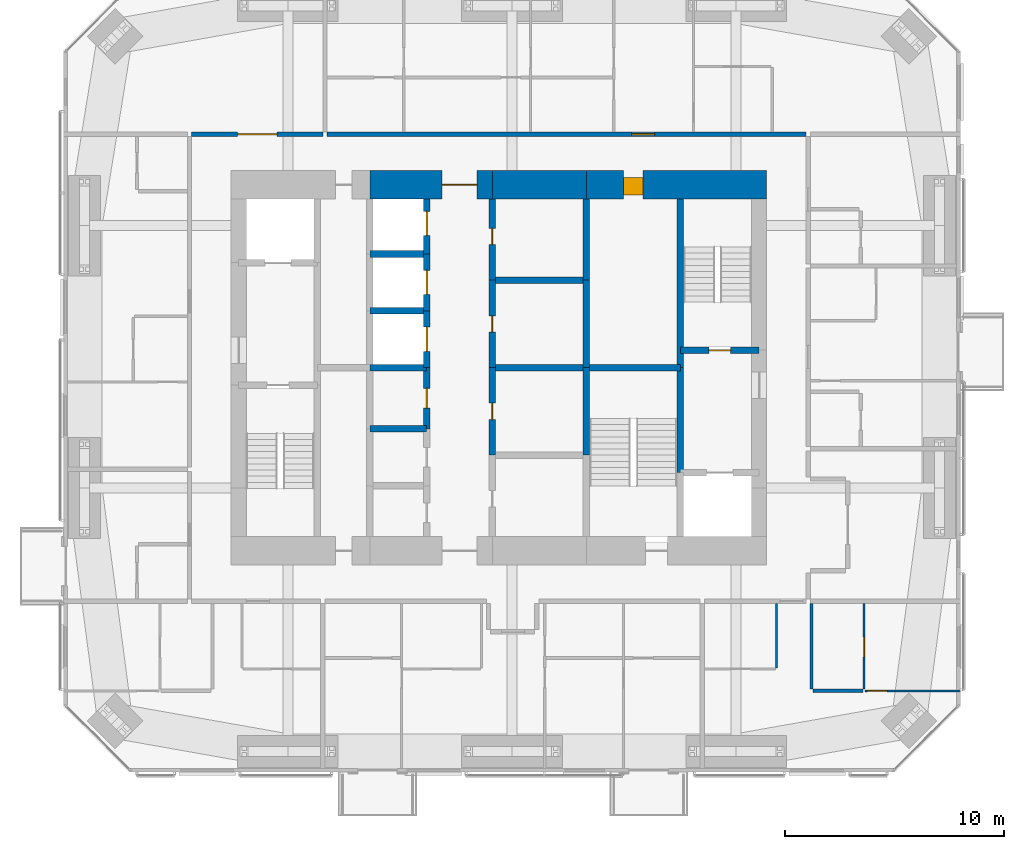
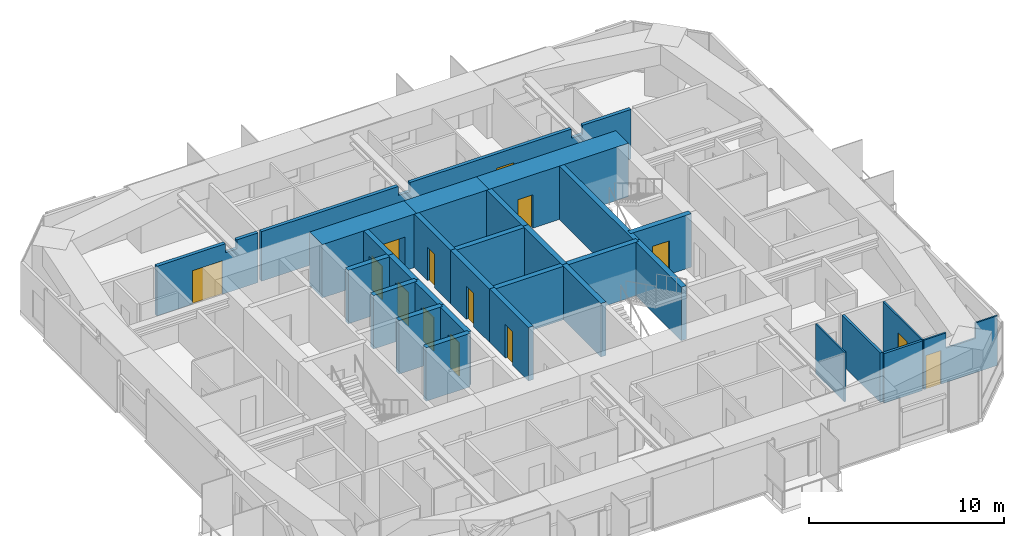
# One storey, part 18 of 22: 30 walls, 14 doors, 14 openings.
"""IFC4 building model written with IfcOpenShell, lengths in metres."""

from ifc_helpers import new_model, si_unit, direction, frame, frame_2d, origin, place, context, subcontext, project, spatial, polyline, rectangle, outline, extrude, material, layer, layer_set, constituent, constituent_set, type_object, element, fill, save


model = new_model("IFC4")

# Units and contexts
model_context = context("Model", 3, precision=1e-05, world=origin(), true_north=direction((0.0, 1.0)))
body_context = subcontext(model_context, "Body", "Model", "MODEL_VIEW")
ifc_project = project(units=[si_unit("LENGTHUNIT", "METRE"), si_unit("AREAUNIT", "SQUARE_METRE"), si_unit("VOLUMEUNIT", "CUBIC_METRE"), si_unit("PLANEANGLEUNIT", "RADIAN"), si_unit("MASSUNIT", "GRAM", prefix="KILO")], contexts=[model_context])

# Site, building, storey
site_placement = place(None, origin())
site = spatial("IfcSite", under=ifc_project, at=site_placement, CompositionType="ELEMENT")
building_placement = place(site_placement, origin())
building = spatial("IfcBuilding", under=site, at=building_placement, Name="Jalousie Tower", CompositionType="ELEMENT")
storey_placement = place(building_placement, frame((0.0, 0.0, 174.449951171875)))
storey = spatial("IfcBuildingStorey", under=building, at=storey_placement, Name="L47", CompositionType="ELEMENT", Elevation=174.449951171875)

# Walls
ifc_material_1 = material(Name="Concrete block ASTM C90", Category="concrete")
ifc_constituent_1 = constituent(ifc_material_1, Name="Body")
ifc_material_2 = material(Name="Render")
ifc_constituent_2 = constituent(ifc_material_2, Name="Finish")
ifc_constituent_set_1 = constituent_set(constituents=[ifc_constituent_1, ifc_constituent_2])
wall_type_1 = type_object("IfcWallType", Name="BATHROOM WALL 150", PredefinedType="PLUMBINGWALL", material=ifc_constituent_set_1)
wall_1_placement = place(storey_placement, frame((46.27490234375, 3.72119140625, 0.0), z_axis=(0.0, 0.0, 1.0), x_axis=(1.0, 0.0, 0.0)))
element("IfcWall", 1, at=wall_1_placement, inside=storey, type_object=wall_type_1, Name="Bathroom Wall 150 L47", PredefinedType="PLUMBINGWALL", context=body_context, shape_type="SweptSolid", body=[
    extrude(rectangle(XDim=2.275146484375, YDim=0.14990234375, at=frame_2d((1.1376953125, 0.0))), origin(), (0.0, 0.0, 1.0), 3.110107421875),
])
wall_2_placement = place(storey_placement, frame((46.199951171875, 3.79638671875, 0.0), z_axis=(0.0, 0.0, 1.0), x_axis=(0.0, 1.0, 0.0)))
element("IfcWall", 2, at=wall_2_placement, inside=storey, type_object=wall_type_1, Name="Bathroom Wall 150 L47", PredefinedType="PLUMBINGWALL", context=body_context, shape_type="SweptSolid", body=[
    extrude(rectangle(XDim=3.9287109375, YDim=0.14990234375, at=frame_2d((1.96435546875, 0.0))), origin(), (0.0, 0.0, 1.0), 3.110107421875),
])

# Wall, opening, door
ifc_material_3 = material(Name="Concrete f'c 120 MPa", Category="concrete")
ifc_layer_1 = layer(ifc_material_3, 1.300048828125)
ifc_layer_set_1 = layer_set([ifc_layer_1], Name="Concrete f'c 120 MPa")
wall_type_2 = type_object("IfcWallType", Name="CORE WALL 1300", PredefinedType="SHEAR", material=ifc_layer_set_1)
wall_3_placement = place(storey_placement, frame((44.14990234375, 26.875, 0.0), z_axis=(0.0, 0.0, 1.0), x_axis=(-1.0, 0.0, 0.0)))
wall_3 = element("IfcWall", 3, at=wall_3_placement, inside=storey, type_object=wall_type_2, Name="Core wall NA L47", PredefinedType="SHEAR", context=body_context, shape_type="SweptSolid", body=[
    extrude(rectangle(XDim=8.25, YDim=1.300048828125, at=frame_2d((4.125, 0.0))), origin(), (0.0, 0.0, 1.0), 3.35009765625),
])
opening_1_placement = place(wall_3_placement, frame((5.64990234375, 0.0, 0.0)))
opening_1 = element("IfcOpeningElement", 4, at=opening_1_placement, cuts=wall_3, Name="Opening D18", PredefinedType="OPENING", context=body_context, shape_type="SweptSolid", body=[
    extrude(rectangle(XDim=0.89990234375, YDim=2.10009765625, at=frame_2d((0.449951171875, 1.050048828125))), frame((0.0, 0.659912109375, 0.0), z_axis=(0.0, -1.0, 0.0), x_axis=(1.0, 0.0, 0.0)), (0.0, 0.0, 1.0), 1.320068359375),
])
ifc_material_4 = material(Name="Steel fire door", Category="steel")
door_type_1 = type_object("IfcDoorType", Name="CLEANER'S STORE DOOR 900", OperationType="SINGLE_SWING_LEFT", PredefinedType="DOOR", material=ifc_material_4)
door_1_placement = place(opening_1_placement, origin())
door_1 = element("IfcDoor", 5, at=door_1_placement, inside=storey, type_object=door_type_1, Name="Cleaner's store door", OperationType="SINGLE_SWING_RIGHT", OverallHeight=2.10009765625, OverallWidth=0.89990234375, PredefinedType="DOOR", context=body_context, shape_type="SweptSolid", body=[
    extrude(rectangle(XDim=0.89990234375, YDim=2.10009765625, at=frame_2d((0.449951171875, 1.050048828125))), frame((0.0, 0.47021484375, 0.0), z_axis=(0.0, -1.0, 0.0), x_axis=(1.0, 0.0, 0.0)), (0.0, 0.0, 1.0), 0.800048828125),
])
fill(opening_1, door_1)

# Wall
wall_4_placement = place(storey_placement, frame((35.89990234375, 26.875, 0.0), z_axis=(0.0, 0.0, 1.0), x_axis=(-1.0, 0.0, 0.0)))
element("IfcWall", 6, at=wall_4_placement, inside=storey, type_object=wall_type_2, Name="Core wall NB L47", PredefinedType="SHEAR", context=body_context, shape_type="SweptSolid", body=[
    extrude(rectangle(XDim=4.2998046875, YDim=1.300048828125, at=frame_2d((2.14990234375, 0.0))), origin(), (0.0, 0.0, 1.0), 3.35009765625),
])

# Wall, opening, door
wall_5_placement = place(storey_placement, frame((31.60009765625, 26.875, 0.0), z_axis=(0.0, 0.0, 1.0), x_axis=(-1.0, 0.0, 0.0)))
wall_5 = element("IfcWall", 7, at=wall_5_placement, inside=storey, type_object=wall_type_2, Name="Core wall NC L47", PredefinedType="SHEAR", context=body_context, shape_type="SweptSolid", body=[
    extrude(rectangle(XDim=5.60009765625, YDim=1.300048828125, at=frame_2d((2.800048828125, 0.0))), origin(), (0.0, 0.0, 1.0), 3.35009765625),
])
opening_2_placement = place(wall_5_placement, frame((0.699951171875, 0.0, 0.0)))
opening_2 = element("IfcOpeningElement", 8, at=opening_2_placement, cuts=wall_5, Name="Opening D15", PredefinedType="OPENING", context=body_context, shape_type="SweptSolid", body=[
    extrude(rectangle(XDim=1.60009765625, YDim=2.10009765625, at=frame_2d((0.800048828125, 1.050048828125))), frame((0.0, 0.659912109375, 0.0), z_axis=(0.0, -1.0, 0.0), x_axis=(1.0, 0.0, 0.0)), (0.0, 0.0, 1.0), 1.320068359375),
])
ifc_material_5 = material(Name="Steel fire door", Category="steel")
door_type_2 = type_object("IfcDoorType", Name="LIFT LOBBY DOOR 1600", OperationType="DOUBLE_DOOR_SINGLE_SWING", PredefinedType="DOOR", material=ifc_material_5)
door_2_placement = place(opening_2_placement, origin())
door_2 = element("IfcDoor", 9, at=door_2_placement, inside=storey, type_object=door_type_2, Name="Lift lobby north door", OperationType="DOUBLE_DOOR_SINGLE_SWING", OverallHeight=2.10009765625, OverallWidth=1.60009765625, PredefinedType="DOOR", context=body_context, shape_type="SweptSolid", body=[
    extrude(rectangle(XDim=1.60009765625, YDim=2.10009765625, at=frame_2d((0.800048828125, 1.050048828125))), frame((0.0, 0.02490234375, 0.0), z_axis=(0.0, -1.0, 0.0), x_axis=(1.0, 0.0, 0.0)), (0.0, 0.0, 1.0), 0.050048828125),
])
fill(opening_2, door_2)

ifc_material_6 = material(Name="Concrete f'c 120 MPa", Category="concrete")
ifc_layer_2 = layer(ifc_material_6, 0.300048828125)
ifc_layer_set_2 = layer_set([ifc_layer_2], Name="Concrete f'c 120 MPa")
wall_type_3 = type_object("IfcWallType", Name="CORE WALL 300", PredefinedType="SHEAR", material=ifc_layer_set_2)
wall_6_placement = place(storey_placement, frame((28.60009765625, 15.699951171875, 0.0), z_axis=(0.0, 0.0, 1.0), x_axis=(0.0, 1.0, 0.0)))
wall_6 = element("IfcWall", 10, at=wall_6_placement, inside=storey, type_object=wall_type_3, Name="Core wall X28.6C L47", PredefinedType="SHEAR", context=body_context, shape_type="SweptSolid", body=[
    extrude(rectangle(XDim=2.800048828125, YDim=0.300048828125, at=frame_2d((1.39990234375, 0.0))), origin(), (0.0, 0.0, 1.0), 3.35009765625),
])
opening_3_placement = place(wall_6_placement, frame((0.949951171875, 0.0, 0.0)))
opening_3 = element("IfcOpeningElement", 11, at=opening_3_placement, cuts=wall_6, Name="Opening D24", PredefinedType="OPENING", context=body_context, shape_type="SweptSolid", body=[
    extrude(rectangle(XDim=0.89990234375, YDim=2.10009765625, at=frame_2d((0.449951171875, 1.050048828125))), frame((0.0, 0.159912109375, 0.0), z_axis=(0.0, -1.0, 0.0), x_axis=(1.0, 0.0, 0.0)), (0.0, 0.0, 1.0), 0.320068359375),
])
ifc_material_7 = material(Name="Steel fire door", Category="steel")
door_type_3 = type_object("IfcDoorType", Name="CORE ROOM DOOR 900", OperationType="SINGLE_SWING_LEFT", PredefinedType="DOOR", material=ifc_material_7)
door_3_placement = place(opening_3_placement, origin())
door_3 = element("IfcDoor", 12, at=door_3_placement, inside=storey, type_object=door_type_3, Name="Linen store door", OperationType="SINGLE_SWING_LEFT", OverallHeight=2.10009765625, OverallWidth=0.89990234375, PredefinedType="DOOR", context=body_context, shape_type="SweptSolid", body=[
    extrude(rectangle(XDim=0.89990234375, YDim=2.10009765625, at=frame_2d((0.449951171875, 1.050048828125))), frame((0.0, 0.02490234375, 0.0), z_axis=(0.0, -1.0, 0.0), x_axis=(1.0, 0.0, 0.0)), (0.0, 0.0, 1.0), 0.050048828125),
])
fill(opening_3, door_3)

wall_7_placement = place(storey_placement, frame((28.60009765625, 18.5, 0.0), z_axis=(0.0, 0.0, 1.0), x_axis=(0.0, 1.0, 0.0)))
wall_7 = element("IfcWall", 13, at=wall_7_placement, inside=storey, type_object=wall_type_3, Name="Core wall X28.6D L47", PredefinedType="SHEAR", context=body_context, shape_type="SweptSolid", body=[
    extrude(rectangle(XDim=2.60009765625, YDim=0.300048828125, at=frame_2d((1.300048828125, 0.0))), origin(), (0.0, 0.0, 1.0), 3.35009765625),
])
opening_4_placement = place(wall_7_placement, frame((0.75, 0.0, 0.0)))
opening_4 = element("IfcOpeningElement", 14, at=opening_4_placement, cuts=wall_7, Name="Opening LD1", PredefinedType="OPENING", context=body_context, shape_type="SweptSolid", body=[
    extrude(rectangle(XDim=1.10009765625, YDim=2.10009765625, at=frame_2d((0.550048828125, 1.050048828125))), frame((0.0, 0.159912109375, 0.0), z_axis=(0.0, -1.0, 0.0), x_axis=(1.0, 0.0, 0.0)), (0.0, 0.0, 1.0), 0.320068359375),
])
ifc_material_8 = material(Name="Steel lift landing door", Category="steel")
door_type_4 = type_object("IfcDoorType", Name="LIFT LANDING DOOR 1100", OperationType="SLIDING_TO_LEFT", PredefinedType="DOOR", material=ifc_material_8)
door_4_placement = place(opening_4_placement, origin())
door_4 = element("IfcDoor", 15, at=door_4_placement, inside=storey, type_object=door_type_4, Name="Lift P4 landing door", OperationType="SLIDING_TO_LEFT", OverallHeight=2.10009765625, OverallWidth=1.10009765625, PredefinedType="DOOR", context=body_context, shape_type="SweptSolid", body=[
    extrude(rectangle(XDim=1.10009765625, YDim=2.10009765625, at=frame_2d((0.550048828125, 1.050048828125))), frame((0.0, 0.02490234375, 0.0), z_axis=(0.0, -1.0, 0.0), x_axis=(1.0, 0.0, 0.0)), (0.0, 0.0, 1.0), 0.050048828125),
])
fill(opening_4, door_4)

wall_8_placement = place(storey_placement, frame((28.60009765625, 21.10009765625, 0.0), z_axis=(0.0, 0.0, 1.0), x_axis=(0.0, 1.0, 0.0)))
wall_8 = element("IfcWall", 16, at=wall_8_placement, inside=storey, type_object=wall_type_3, Name="Core wall X28.6E L47", PredefinedType="SHEAR", context=body_context, shape_type="SweptSolid", body=[
    extrude(rectangle(XDim=2.599853515625, YDim=0.300048828125, at=frame_2d((1.2998046875, 0.0))), origin(), (0.0, 0.0, 1.0), 3.35009765625),
])
opening_5_placement = place(wall_8_placement, frame((0.75, 0.0, 0.0)))
opening_5 = element("IfcOpeningElement", 17, at=opening_5_placement, cuts=wall_8, Name="Opening LD1", PredefinedType="OPENING", context=body_context, shape_type="SweptSolid", body=[
    extrude(rectangle(XDim=1.10009765625, YDim=2.10009765625, at=frame_2d((0.550048828125, 1.050048828125))), frame((0.0, 0.159912109375, 0.0), z_axis=(0.0, -1.0, 0.0), x_axis=(1.0, 0.0, 0.0)), (0.0, 0.0, 1.0), 0.320068359375),
])
door_5_placement = place(opening_5_placement, origin())
door_5 = element("IfcDoor", 18, at=door_5_placement, inside=storey, type_object=door_type_4, Name="Lift P5 landing door", OperationType="SLIDING_TO_LEFT", OverallHeight=2.10009765625, OverallWidth=1.10009765625, PredefinedType="DOOR", context=body_context, shape_type="SweptSolid", body=[
    extrude(rectangle(XDim=1.10009765625, YDim=2.10009765625, at=frame_2d((0.550048828125, 1.050048828125))), frame((0.0, 0.02490234375, 0.0), z_axis=(0.0, -1.0, 0.0), x_axis=(1.0, 0.0, 0.0)), (0.0, 0.0, 1.0), 0.050048828125),
])
fill(opening_5, door_5)

wall_9_placement = place(storey_placement, frame((28.60009765625, 23.699951171875, 0.0), z_axis=(0.0, 0.0, 1.0), x_axis=(0.0, 1.0, 0.0)))
wall_9 = element("IfcWall", 19, at=wall_9_placement, inside=storey, type_object=wall_type_3, Name="Core wall X28.6F L47", PredefinedType="SHEAR", context=body_context, shape_type="SweptSolid", body=[
    extrude(rectangle(XDim=2.525146484375, YDim=0.300048828125, at=frame_2d((1.2626953125, 0.0))), origin(), (0.0, 0.0, 1.0), 3.35009765625),
])
opening_6_placement = place(wall_9_placement, frame((0.85009765625, 0.0, 0.0)))
opening_6 = element("IfcOpeningElement", 20, at=opening_6_placement, cuts=wall_9, Name="Opening LD1", PredefinedType="OPENING", context=body_context, shape_type="SweptSolid", body=[
    extrude(rectangle(XDim=1.10009765625, YDim=2.10009765625, at=frame_2d((0.550048828125, 1.050048828125))), frame((0.0, 0.159912109375, 0.0), z_axis=(0.0, -1.0, 0.0), x_axis=(1.0, 0.0, 0.0)), (0.0, 0.0, 1.0), 0.320068359375),
])
door_6_placement = place(opening_6_placement, origin())
door_6 = element("IfcDoor", 21, at=door_6_placement, inside=storey, type_object=door_type_4, Name="Lift P6 landing door", OperationType="SLIDING_TO_LEFT", OverallHeight=2.10009765625, OverallWidth=1.10009765625, PredefinedType="DOOR", context=body_context, shape_type="SweptSolid", body=[
    extrude(rectangle(XDim=1.10009765625, YDim=2.10009765625, at=frame_2d((0.550048828125, 1.050048828125))), frame((0.0, 0.02490234375, 0.0), z_axis=(0.0, -1.0, 0.0), x_axis=(1.0, 0.0, 0.0)), (0.0, 0.0, 1.0), 0.050048828125),
])
fill(opening_6, door_6)

wall_10_placement = place(storey_placement, frame((31.60009765625, 14.5, 0.0), z_axis=(0.0, 0.0, 1.0), x_axis=(0.0, 1.0, 0.0)))
wall_10 = element("IfcWall", 22, at=wall_10_placement, inside=storey, type_object=wall_type_3, Name="Core wall X31.6B L47", PredefinedType="SHEAR", context=body_context, shape_type="SweptSolid", body=[
    extrude(rectangle(XDim=4.0, YDim=0.300048828125, at=frame_2d((2.0, 0.0))), origin(), (0.0, 0.0, 1.0), 3.35009765625),
])
opening_7_placement = place(wall_10_placement, frame((1.625, 0.0, 0.0)))
opening_7 = element("IfcOpeningElement", 23, at=opening_7_placement, cuts=wall_10, Name="Opening D16", PredefinedType="OPENING", context=body_context, shape_type="SweptSolid", body=[
    extrude(rectangle(XDim=0.75, YDim=2.10009765625, at=frame_2d((0.375, 1.050048828125))), frame((0.0, 0.159912109375, 0.0), z_axis=(0.0, -1.0, 0.0), x_axis=(1.0, 0.0, 0.0)), (0.0, 0.0, 1.0), 0.320068359375),
])
ifc_material_9 = material(Name="Steel fire door", Category="steel")
door_type_5 = type_object("IfcDoorType", Name="RISER DOOR 750", OperationType="SINGLE_SWING_LEFT", PredefinedType="DOOR", material=ifc_material_9)
door_7_placement = place(opening_7_placement, frame((0.75, 0.0, 0.0), z_axis=(0.0, 0.0, 1.0), x_axis=(-1.0, 0.0, 0.0)))
door_7 = element("IfcDoor", 24, at=door_7_placement, inside=storey, type_object=door_type_5, Name="Electrical Room door", OperationType="SINGLE_SWING_RIGHT", OverallHeight=2.10009765625, OverallWidth=0.75, PredefinedType="DOOR", context=body_context, shape_type="SweptSolid", body=[
    extrude(rectangle(XDim=0.75, YDim=2.10009765625, at=frame_2d((0.375, 1.050048828125))), frame((0.0, 0.02490234375, 0.0), z_axis=(0.0, -1.0, 0.0), x_axis=(1.0, 0.0, 0.0)), (0.0, 0.0, 1.0), 0.050048828125),
])
fill(opening_7, door_7)

wall_11_placement = place(storey_placement, frame((31.60009765625, 18.5, 0.0), z_axis=(0.0, 0.0, 1.0), x_axis=(0.0, 1.0, 0.0)))
wall_11 = element("IfcWall", 25, at=wall_11_placement, inside=storey, type_object=wall_type_3, Name="Core wall X31.6C L47", PredefinedType="SHEAR", context=body_context, shape_type="SweptSolid", body=[
    extrude(rectangle(XDim=4.0, YDim=0.300048828125, at=frame_2d((2.0, 0.0))), origin(), (0.0, 0.0, 1.0), 3.35009765625),
])
opening_8_placement = place(wall_11_placement, frame((1.625, 0.0, 0.0)))
opening_8 = element("IfcOpeningElement", 26, at=opening_8_placement, cuts=wall_11, Name="Opening D16", PredefinedType="OPENING", context=body_context, shape_type="SweptSolid", body=[
    extrude(rectangle(XDim=0.75, YDim=2.10009765625, at=frame_2d((0.375, 1.050048828125))), frame((0.0, 0.159912109375, 0.0), z_axis=(0.0, -1.0, 0.0), x_axis=(1.0, 0.0, 0.0)), (0.0, 0.0, 1.0), 0.320068359375),
])
door_8_placement = place(opening_8_placement, frame((0.75, 0.0, 0.0), z_axis=(0.0, 0.0, 1.0), x_axis=(-1.0, 0.0, 0.0)))
door_8 = element("IfcDoor", 27, at=door_8_placement, inside=storey, type_object=door_type_5, Name="Telecom Room door", OperationType="SINGLE_SWING_RIGHT", OverallHeight=2.10009765625, OverallWidth=0.75, PredefinedType="DOOR", context=body_context, shape_type="SweptSolid", body=[
    extrude(rectangle(XDim=0.75, YDim=2.10009765625, at=frame_2d((0.375, 1.050048828125))), frame((0.0, 0.02490234375, 0.0), z_axis=(0.0, -1.0, 0.0), x_axis=(1.0, 0.0, 0.0)), (0.0, 0.0, 1.0), 0.050048828125),
])
fill(opening_8, door_8)

wall_12_placement = place(storey_placement, frame((31.60009765625, 22.5, 0.0), z_axis=(0.0, 0.0, 1.0), x_axis=(0.0, 1.0, 0.0)))
wall_12 = element("IfcWall", 28, at=wall_12_placement, inside=storey, type_object=wall_type_3, Name="Core wall X31.6D L47", PredefinedType="SHEAR", context=body_context, shape_type="SweptSolid", body=[
    extrude(rectangle(XDim=3.72509765625, YDim=0.300048828125, at=frame_2d((1.862548828125, 0.0))), origin(), (0.0, 0.0, 1.0), 3.35009765625),
])
opening_9_placement = place(wall_12_placement, frame((1.625, 0.0, 0.0)))
opening_9 = element("IfcOpeningElement", 29, at=opening_9_placement, cuts=wall_12, Name="Opening D16", PredefinedType="OPENING", context=body_context, shape_type="SweptSolid", body=[
    extrude(rectangle(XDim=0.75, YDim=2.10009765625, at=frame_2d((0.375, 1.050048828125))), frame((0.0, 0.159912109375, 0.0), z_axis=(0.0, -1.0, 0.0), x_axis=(1.0, 0.0, 0.0)), (0.0, 0.0, 1.0), 0.320068359375),
])
door_9_placement = place(opening_9_placement, frame((0.75, 0.0, 0.0), z_axis=(0.0, 0.0, 1.0), x_axis=(-1.0, 0.0, 0.0)))
door_9 = element("IfcDoor", 30, at=door_9_placement, inside=storey, type_object=door_type_5, Name="Water Services Room door", OperationType="SINGLE_SWING_LEFT", OverallHeight=2.10009765625, OverallWidth=0.75, PredefinedType="DOOR", context=body_context, shape_type="SweptSolid", body=[
    extrude(rectangle(XDim=0.75, YDim=2.10009765625, at=frame_2d((0.375, 1.050048828125))), frame((0.0, 0.02490234375, 0.0), z_axis=(0.0, -1.0, 0.0), x_axis=(1.0, 0.0, 0.0)), (0.0, 0.0, 1.0), 0.050048828125),
])
fill(opening_9, door_9)

# Walls
for number, where, z_axis, x_axis, name in (
    (31, (35.89990234375, 14.5, 0.0), (0.0, 0.0, 1.0), (0.0, 1.0, 0.0), "Core wall X35.9B L47"),
    (32, (35.89990234375, 18.5, 0.0), (0.0, 0.0, 1.0), (0.0, 1.0, 0.0), "Core wall X35.9C L47"),
):
    element("IfcWall", number, at=place(storey_placement, frame(where, z_axis=z_axis, x_axis=x_axis)), inside=storey, type_object=wall_type_3, Name=name, PredefinedType="SHEAR", context=body_context, shape_type="SweptSolid", body=[
        extrude(rectangle(XDim=4.0, YDim=0.300048828125, at=frame_2d((2.0, 0.0))), origin(), (0.0, 0.0, 1.0), 3.35009765625),
    ])
wall_13_placement = place(storey_placement, frame((35.89990234375, 22.5, 0.0), z_axis=(0.0, 0.0, 1.0), x_axis=(0.0, 1.0, 0.0)))
element("IfcWall", 33, at=wall_13_placement, inside=storey, type_object=wall_type_3, Name="Core wall X35.9D L47", PredefinedType="SHEAR", context=body_context, shape_type="SweptSolid", body=[
    extrude(rectangle(XDim=3.72509765625, YDim=0.300048828125, at=frame_2d((1.862548828125, 0.0))), origin(), (0.0, 0.0, 1.0), 3.35009765625),
])
wall_14_placement = place(storey_placement, frame((40.199951171875, 13.699951171875, 0.0), z_axis=(0.0, 0.0, 1.0), x_axis=(0.0, 1.0, 0.0)))
element("IfcWall", 34, at=wall_14_placement, inside=storey, type_object=wall_type_3, Name="Core wall X40.2B L47", PredefinedType="SHEAR", context=body_context, shape_type="SweptSolid", body=[
    extrude(rectangle(XDim=4.800048828125, YDim=0.300048828125, at=frame_2d((2.39990234375, 0.0))), origin(), (0.0, 0.0, 1.0), 3.35009765625),
])
wall_15_placement = place(storey_placement, frame((40.199951171875, 18.5, 0.0), z_axis=(0.0, 0.0, 1.0), x_axis=(0.0, 1.0, 0.0)))
element("IfcWall", 35, at=wall_15_placement, inside=storey, type_object=wall_type_3, Name="Core wall X40.2C L47", PredefinedType="SHEAR", context=body_context, shape_type="SweptSolid", body=[
    extrude(rectangle(XDim=7.72509765625, YDim=0.300048828125, at=frame_2d((3.862548828125, 0.0))), origin(), (0.0, 0.0, 1.0), 3.35009765625),
])
for number, where, z_axis, x_axis, name in (
    (36, (26.0, 15.699951171875, 0.0), (0.0, 0.0, 1.0), (1.0, 0.0, 0.0), "Core wall Y26-15.7 L47"),
    (37, (26.0, 18.5, 0.0), (0.0, 0.0, 1.0), (1.0, 0.0, 0.0), "Core wall Y26-18.5 L47"),
    (38, (26.0, 21.10009765625, 0.0), (0.0, 0.0, 1.0), (1.0, 0.0, 0.0), "Core wall Y26-21.1 L47"),
    (39, (26.0, 23.699951171875, 0.0), (0.0, 0.0, 1.0), (1.0, 0.0, 0.0), "Core wall Y26-23.7 L47"),
):
    element("IfcWall", number, at=place(storey_placement, frame(where, z_axis=z_axis, x_axis=x_axis)), inside=storey, type_object=wall_type_3, Name=name, PredefinedType="SHEAR", context=body_context, shape_type="SweptSolid", body=[
        extrude(rectangle(XDim=2.60009765625, YDim=0.300048828125, at=frame_2d((1.300048828125, 0.0))), origin(), (0.0, 0.0, 1.0), 3.35009765625),
    ])
for number, where, z_axis, x_axis, name in (
    (40, (31.60009765625, 18.5, 0.0), (0.0, 0.0, 1.0), (1.0, 0.0, 0.0), "Core wall Y31.6-18.5 L47"),
    (41, (31.60009765625, 22.5, 0.0), (0.0, 0.0, 1.0), (1.0, 0.0, 0.0), "Core wall Y31.6-22.5 L47"),
):
    element("IfcWall", number, at=place(storey_placement, frame(where, z_axis=z_axis, x_axis=x_axis)), inside=storey, type_object=wall_type_3, Name=name, PredefinedType="SHEAR", context=body_context, shape_type="SweptSolid", body=[
        extrude(rectangle(XDim=4.2998046875, YDim=0.300048828125, at=frame_2d((2.14990234375, 0.0))), origin(), (0.0, 0.0, 1.0), 3.35009765625),
    ])
wall_16_placement = place(storey_placement, frame((35.89990234375, 18.5, 0.0), z_axis=(0.0, 0.0, 1.0), x_axis=(1.0, 0.0, 0.0)))
element("IfcWall", 42, at=wall_16_placement, inside=storey, type_object=wall_type_3, Name="Core wall Y35.9-18.5 L47", PredefinedType="SHEAR", context=body_context, shape_type="SweptSolid", body=[
    extrude(rectangle(XDim=4.300048828125, YDim=0.300048828125, at=frame_2d((2.14990234375, 0.0))), origin(), (0.0, 0.0, 1.0), 3.35009765625),
])

# Wall, opening, door
wall_17_placement = place(storey_placement, frame((40.199951171875, 19.300048828125, 0.0), z_axis=(0.0, 0.0, 1.0), x_axis=(1.0, 0.0, 0.0)))
wall_17 = element("IfcWall", 43, at=wall_17_placement, inside=storey, type_object=wall_type_3, Name="Core wall Y40.2-19.3 L47", PredefinedType="SHEAR", context=body_context, shape_type="SweptSolid", body=[
    extrude(rectangle(XDim=3.60009765625, YDim=0.300048828125, at=frame_2d((1.800048828125, 0.0))), origin(), (0.0, 0.0, 1.0), 3.35009765625),
])
opening_10_placement = place(wall_17_placement, frame((1.300048828125, 0.0, 0.0)))
opening_10 = element("IfcOpeningElement", 44, at=opening_10_placement, cuts=wall_17, Name="Opening D10", PredefinedType="OPENING", context=body_context, shape_type="SweptSolid", body=[
    extrude(rectangle(XDim=1.0, YDim=2.10009765625, at=frame_2d((0.5, 1.050048828125))), frame((0.0, 0.159912109375, 0.0), z_axis=(0.0, -1.0, 0.0), x_axis=(1.0, 0.0, 0.0)), (0.0, 0.0, 1.0), 0.320068359375),
])
ifc_material_10 = material(Name="Steel fire door", Category="steel")
door_type_6 = type_object("IfcDoorType", Name="STAIR DOOR 1000", OperationType="SINGLE_SWING_LEFT", PredefinedType="DOOR", material=ifc_material_10)
door_10_placement = place(opening_10_placement, origin())
door_10 = element("IfcDoor", 45, at=door_10_placement, inside=storey, type_object=door_type_6, Name="Exit stair B door", OperationType="SINGLE_SWING_RIGHT", OverallHeight=2.10009765625, OverallWidth=1.0, PredefinedType="DOOR", context=body_context, shape_type="SweptSolid", body=[
    extrude(rectangle(XDim=1.0, YDim=2.10009765625, at=frame_2d((0.5, 1.050048828125))), frame((0.0, 0.02490234375, 0.0), z_axis=(0.0, -1.0, 0.0), x_axis=(1.0, 0.0, 0.0)), (0.0, 0.0, 1.0), 0.050048828125),
])
fill(opening_10, door_10)

ifc_material_11 = material(Name="Concrete block ASTM C90", Category="concrete")
ifc_constituent_3 = constituent(ifc_material_11, Name="Body")
ifc_material_12 = material(Name="Render")
ifc_constituent_4 = constituent(ifc_material_12, Name="Finish")
ifc_constituent_set_2 = constituent_set(constituents=[ifc_constituent_3, ifc_constituent_4])
wall_type_4 = type_object("IfcWallType", Name="CORRIDOR WALL 200", PredefinedType="PARTITIONING", material=ifc_constituent_set_2)
wall_18_placement = place(storey_placement, frame((17.85009765625, 29.175048828125, 0.0), z_axis=(0.0, 0.0, 1.0), x_axis=(1.0, 0.0, 0.0)))
wall_18 = element("IfcWall", 46, at=wall_18_placement, inside=storey, type_object=wall_type_4, Name="Corridor Wall 200 L47", PredefinedType="PARTITIONING", context=body_context, shape_type="SweptSolid", body=[
    extrude(outline(polyline([(0.0, 0.0), (6.0, 0.0), (6.0, 3.110107421875), (4.7373046875, 3.110107421875), (4.7373046875, 2.541015625), (4.0625, 2.541015625), (4.0625, 3.110107421875), (0.0, 3.110107421875), (0.0, 0.0)])), frame((0.0, 0.10009765625, 0.0), z_axis=(0.0, -1.0, 0.0), x_axis=(1.0, 0.0, 0.0)), (0.0, 0.0, 1.0), 0.199951171875),
])
opening_11_placement = place(wall_18_placement, frame((2.10009765625, 0.0, 0.0)))
opening_11 = element("IfcOpeningElement", 47, at=opening_11_placement, cuts=wall_18, Name="Opening D22", PredefinedType="OPENING", context=body_context, shape_type="SweptSolid", body=[
    extrude(rectangle(XDim=1.800048828125, YDim=2.10009765625, at=frame_2d((0.89990234375, 1.050048828125))), frame((0.0, 0.10986328125, 0.0), z_axis=(0.0, -1.0, 0.0), x_axis=(1.0, 0.0, 0.0)), (0.0, 0.0, 1.0), 0.219970703125),
])
ifc_material_13 = material(Name="Timber fire door", Category="wood")
door_type_7 = type_object("IfcDoorType", Name="CORRIDOR DOUBLE DOOR 1800", OperationType="DOUBLE_DOOR_SINGLE_SWING", PredefinedType="DOOR", material=ifc_material_13)
door_11_placement = place(opening_11_placement, origin())
door_11 = element("IfcDoor", 48, at=door_11_placement, inside=storey, type_object=door_type_7, Name="Residents' lounge door", OperationType="DOUBLE_DOOR_SINGLE_SWING", OverallHeight=2.10009765625, OverallWidth=1.800048828125, PredefinedType="DOOR", context=body_context, shape_type="SweptSolid", body=[
    extrude(rectangle(XDim=1.800048828125, YDim=2.10009765625, at=frame_2d((0.89990234375, 1.050048828125))), frame((0.0, 0.02490234375, 0.0), z_axis=(0.0, -1.0, 0.0), x_axis=(1.0, 0.0, 0.0)), (0.0, 0.0, 1.0), 0.050048828125),
])
fill(opening_11, door_11)

wall_19_placement = place(storey_placement, frame((24.050048828125, 29.175048828125, 0.0), z_axis=(0.0, 0.0, 1.0), x_axis=(1.0, 0.0, 0.0)))
wall_19 = element("IfcWall", 49, at=wall_19_placement, inside=storey, type_object=wall_type_4, Name="Corridor Wall 200 L47", PredefinedType="PARTITIONING", context=body_context, shape_type="SweptSolid", body=[
    extrude(outline(polyline([(0.0, 0.0), (21.89990234375, 0.0), (21.89990234375, 3.110107421875), (19.037353515625, 3.110107421875), (19.037353515625, 2.541015625), (18.362548828125, 2.541015625), (18.362548828125, 3.110107421875), (8.787353515625, 3.110107421875), (8.787353515625, 2.541015625), (8.112548828125, 2.541015625), (8.112548828125, 3.110107421875), (0.0, 3.110107421875), (0.0, 0.0)])), frame((0.0, 0.10009765625, 0.0), z_axis=(0.0, -1.0, 0.0), x_axis=(1.0, 0.0, 0.0)), (0.0, 0.0, 1.0), 0.199951171875),
])
opening_12_placement = place(wall_19_placement, frame((13.925048828125, 0.0, 0.0)))
opening_12 = element("IfcOpeningElement", 50, at=opening_12_placement, cuts=wall_19, Name="Opening D1", PredefinedType="OPENING", context=body_context, shape_type="SweptSolid", body=[
    extrude(rectangle(XDim=1.050048828125, YDim=2.199951171875, at=frame_2d((0.52490234375, 1.10009765625))), frame((0.0, 0.10986328125, 0.0), z_axis=(0.0, -1.0, 0.0), x_axis=(1.0, 0.0, 0.0)), (0.0, 0.0, 1.0), 0.219970703125),
])
ifc_material_14 = material(Name="Timber fire door", Category="wood")
door_type_8 = type_object("IfcDoorType", Name="APARTMENT ENTRANCE DOOR 1050", OperationType="SINGLE_SWING_LEFT", PredefinedType="DOOR", material=ifc_material_14)
door_12_placement = place(opening_12_placement, origin())
door_12 = element("IfcDoor", 51, at=door_12_placement, inside=storey, type_object=door_type_8, Name="Apartment 4704 entrance", OperationType="SINGLE_SWING_LEFT", OverallHeight=2.199951171875, OverallWidth=1.050048828125, PredefinedType="DOOR", context=body_context, shape_type="SweptSolid", body=[
    extrude(rectangle(XDim=1.050048828125, YDim=2.199951171875, at=frame_2d((0.52490234375, 1.10009765625))), frame((0.0, 0.02490234375, 0.0), z_axis=(0.0, -1.0, 0.0), x_axis=(1.0, 0.0, 0.0)), (0.0, 0.0, 1.0), 0.050048828125),
])
fill(opening_12, door_12)

ifc_material_15 = material(Name="Gypsum board", Category="gypsum")
ifc_constituent_5 = constituent(ifc_material_15, Name="Body")
ifc_material_16 = material(Name="Light-gauge steel studs ASTM A653 SS Grade 33", Category="steel")
ifc_constituent_6 = constituent(ifc_material_16, Name="Framing")
ifc_constituent_set_3 = constituent_set(constituents=[ifc_constituent_5, ifc_constituent_6])
wall_type_5 = type_object("IfcWallType", Name="PARTITION 100", PredefinedType="PARTITIONING", material=ifc_constituent_set_3)
wall_20_placement = place(storey_placement, frame((48.60009765625, 3.79638671875, 0.0), z_axis=(0.0, 0.0, 1.0), x_axis=(0.0, 1.0, 0.0)))
wall_20 = element("IfcWall", 52, at=wall_20_placement, inside=storey, type_object=wall_type_5, Name="Partition 100 L47", PredefinedType="PARTITIONING", context=body_context, shape_type="SweptSolid", body=[
    extrude(rectangle(XDim=3.9287109375, YDim=0.10009765625, at=frame_2d((1.96435546875, 0.0))), origin(), (0.0, 0.0, 1.0), 3.110107421875),
])
opening_13_placement = place(wall_20_placement, frame((1.476806640625, 0.0, 0.0)))
opening_13 = element("IfcOpeningElement", 53, at=opening_13_placement, cuts=wall_20, Name="Opening D3", PredefinedType="OPENING", context=body_context, shape_type="SweptSolid", body=[
    extrude(rectangle(XDim=0.89990234375, YDim=2.10009765625, at=frame_2d((0.449951171875, 1.050048828125))), frame((0.0, 0.06005859375, 0.0), z_axis=(0.0, -1.0, 0.0), x_axis=(1.0, 0.0, 0.0)), (0.0, 0.0, 1.0), 0.1201171875),
])
ifc_material_17 = material(Name="Timber door", Category="wood")
door_type_9 = type_object("IfcDoorType", Name="BATHROOM DOOR 900", OperationType="SINGLE_SWING_LEFT", PredefinedType="DOOR", material=ifc_material_17)
door_13_placement = place(opening_13_placement, origin())
door_13 = element("IfcDoor", 54, at=door_13_placement, inside=storey, type_object=door_type_9, Name="Apartment 4703 bedroom 1 bathroom door", OperationType="SINGLE_SWING_LEFT", OverallHeight=2.10009765625, OverallWidth=0.89990234375, PredefinedType="DOOR", context=body_context, shape_type="SweptSolid", body=[
    extrude(rectangle(XDim=0.89990234375, YDim=2.10009765625, at=frame_2d((0.449951171875, 1.050048828125))), frame((0.0, 0.02490234375, 0.0), z_axis=(0.0, -1.0, 0.0), x_axis=(1.0, 0.0, 0.0)), (0.0, 0.0, 1.0), 0.050048828125),
])
fill(opening_13, door_13)

wall_21_placement = place(storey_placement, frame((48.64990234375, 3.72119140625, 0.0), z_axis=(0.0, 0.0, 1.0), x_axis=(1.0, 0.0, 0.0)))
wall_21 = element("IfcWall", 55, at=wall_21_placement, inside=storey, type_object=wall_type_5, Name="Partition 100 L47", PredefinedType="PARTITIONING", context=body_context, shape_type="SweptSolid", body=[
    extrude(outline(polyline([(0.0, 0.0), (4.35009765625, 0.0), (4.35009765625, 3.110107421875), (3.049072265625, 3.110107421875), (3.049072265625, 2.150146484375), (1.314453125, 2.150146484375), (1.314453125, 3.110107421875), (0.0, 3.110107421875), (0.0, 0.0)])), frame((0.0, 0.050048828125, 0.0), z_axis=(0.0, -1.0, 0.0), x_axis=(1.0, 0.0, 0.0)), (0.0, 0.0, 1.0), 0.10009765625),
])
opening_14_placement = place(wall_21_placement, frame((0.10009765625, 0.0, 0.0)))
opening_14 = element("IfcOpeningElement", 56, at=opening_14_placement, cuts=wall_21, Name="Opening D2", PredefinedType="OPENING", context=body_context, shape_type="SweptSolid", body=[
    extrude(rectangle(XDim=0.89990234375, YDim=2.10009765625, at=frame_2d((0.449951171875, 1.050048828125))), frame((0.0, 0.06005859375, 0.0), z_axis=(0.0, -1.0, 0.0), x_axis=(1.0, 0.0, 0.0)), (0.0, 0.0, 1.0), 0.1201171875),
])
ifc_material_18 = material(Name="Timber door", Category="wood")
door_type_10 = type_object("IfcDoorType", Name="BEDROOM DOOR 900", OperationType="SINGLE_SWING_LEFT", PredefinedType="DOOR", material=ifc_material_18)
door_14_placement = place(opening_14_placement, origin())
door_14 = element("IfcDoor", 57, at=door_14_placement, inside=storey, type_object=door_type_10, Name="Apartment 4703 bedroom 1 door", OperationType="SINGLE_SWING_LEFT", OverallHeight=2.10009765625, OverallWidth=0.89990234375, PredefinedType="DOOR", context=body_context, shape_type="SweptSolid", body=[
    extrude(rectangle(XDim=0.89990234375, YDim=2.10009765625, at=frame_2d((0.449951171875, 1.050048828125))), frame((0.0, 0.02490234375, 0.0), z_axis=(0.0, -1.0, 0.0), x_axis=(1.0, 0.0, 0.0)), (0.0, 0.0, 1.0), 0.050048828125),
])
fill(opening_14, door_14)

# Wall
wall_22_placement = place(storey_placement, frame((44.60009765625, 4.77490234375, 0.0), z_axis=(0.0, 0.0, 1.0), x_axis=(0.0, 1.0, 0.0)))
element("IfcWall", 58, at=wall_22_placement, inside=storey, type_object=wall_type_5, Name="Partition 100 L47", PredefinedType="PARTITIONING", context=body_context, shape_type="SweptSolid", body=[
    extrude(rectangle(XDim=2.9501953125, YDim=0.10009765625, at=frame_2d((1.47509765625, 0.0))), origin(), (0.0, 0.0, 1.0), 3.110107421875),
])

save(model, "model.ifc")
